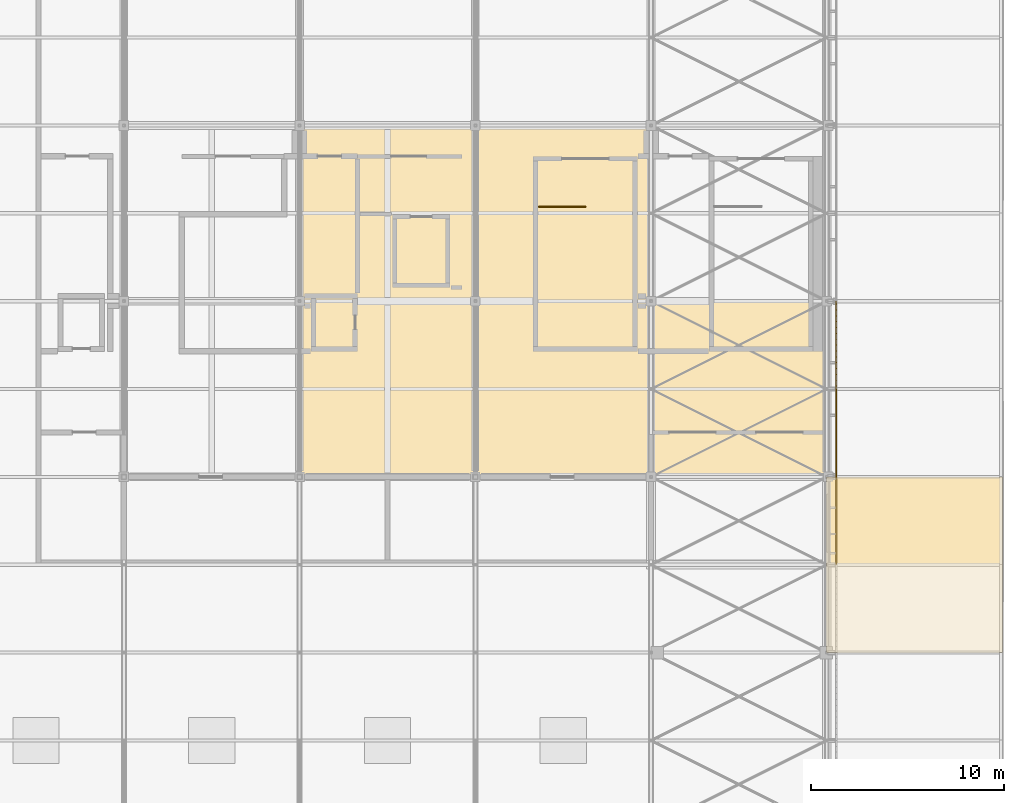
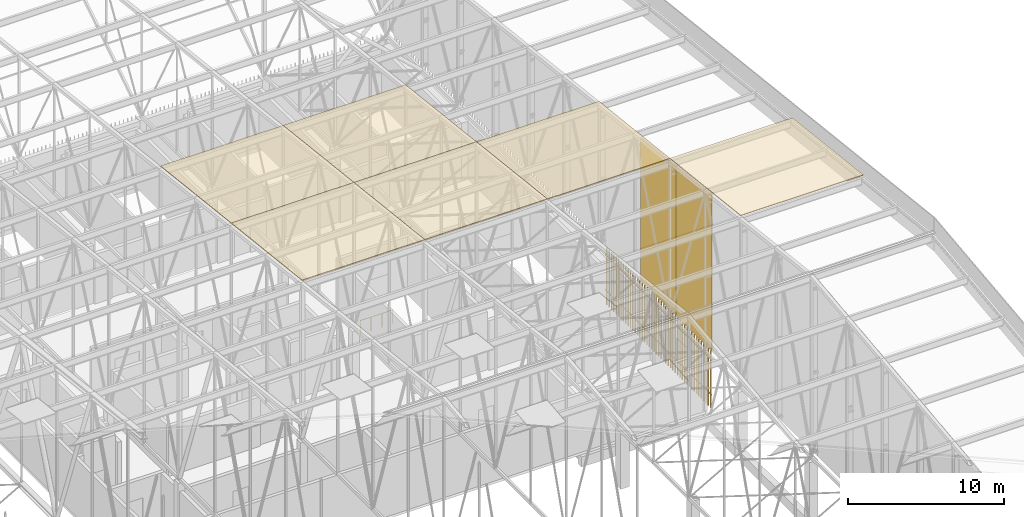
# One storey, part 493 of 500: 7 coverings, 4 shading devices, 1 railing.
"""IFC4 building model written with IfcOpenShell, lengths in metres."""

from ifc_helpers import new_model, si_unit, direction, frame, origin, origin_2d, place, context, subcontext, project, spatial, polyline, rectangle, circle, outline, extrude, material, layer, layer_set, type_object, element, save


model = new_model("IFC4")

# Units and contexts
model_context = context("Model", 3, precision=1e-05, world=origin(), true_north=direction((0.0, 1.0)))
body_context = subcontext(model_context, "Body", "Model", "MODEL_VIEW")
ifc_project = project(units=[si_unit("LENGTHUNIT", "METRE"), si_unit("AREAUNIT", "SQUARE_METRE"), si_unit("VOLUMEUNIT", "CUBIC_METRE"), si_unit("PLANEANGLEUNIT", "RADIAN"), si_unit("MASSUNIT", "GRAM", prefix="KILO")], contexts=[model_context])

# Site, building, storey
site_placement = place(None, origin())
site = spatial("IfcSite", under=ifc_project, at=site_placement, CompositionType="ELEMENT")
building_placement = place(site_placement, origin())
building = spatial("IfcBuilding", under=site, at=building_placement, Name="Shirokan Park Arena", CompositionType="ELEMENT")
storey_placement = place(building_placement, frame((0.0, 0.0, 29.1201171875)))
storey = spatial("IfcBuildingStorey", under=building, at=storey_placement, Name="L06", CompositionType="ELEMENT", Elevation=29.1201171875)

# Coverings
ifc_material_1 = material(Name="Bituminous roofing membrane")
ifc_layer_1 = layer(ifc_material_1, 0.010009765625, Name="Bituminous roofing membrane")
ifc_material_2 = material(Name="Mineral wool insulation")
ifc_layer_2 = layer(ifc_material_2, 0.050048828125, Name="Mineral wool insulation")
ifc_layer_set_1 = layer_set([ifc_layer_1, ifc_layer_2], Name="Bituminous roofing membrane + Mineral wool insulation")
covering_type_1 = type_object("IfcCoveringType", Name="Roofing membrane 60", PredefinedType="ROOFING", material=ifc_layer_set_1)
covering_1_placement = place(storey_placement, frame((118.300048828125, 72.800048828125, 17.090576171875), z_axis=(0.0, 0.113526293343, 0.993534992197), x_axis=(1.0, 0.0, 0.0)))
element("IfcCovering", 1, at=covering_1_placement, inside=storey, type_object=covering_type_1, Name="Roofing", PredefinedType="ROOFING", context=body_context, shape_type="SweptSolid", body=[
    extrude(outline(polyline([(0.0, 0.0), (9.099853515625, 0.0), (9.099853515625, 9.159066954957241), (0.0, 9.159066954957241), (0.0, 0.0)])), origin(), (0.0, 0.0, -1.0), 0.06005859375),
])
covering_2_placement = place(storey_placement, frame((118.300048828125, 81.89990234375, 16.05078125), z_axis=(0.0, 0.113549598152, 0.993532328996), x_axis=(1.0, 0.0, 0.0)))
element("IfcCovering", 2, at=covering_2_placement, inside=storey, type_object=covering_type_1, Name="Roofing", PredefinedType="ROOFING", context=body_context, shape_type="SweptSolid", body=[
    extrude(outline(polyline([(0.0, 0.0), (9.099853515625, 0.0), (9.099853515625, 9.15933723611117), (0.0, 9.15933723611117), (0.0, 0.0)])), origin(), (0.0, 0.0, -1.0), 0.06005859375),
])
covering_3_placement = place(storey_placement, frame((127.39990234375, 72.800048828125, 17.090576171875), z_axis=(0.0, 0.113526293343, 0.993534992197), x_axis=(1.0, 0.0, 0.0)))
element("IfcCovering", 3, at=covering_3_placement, inside=storey, type_object=covering_type_1, Name="Roofing", PredefinedType="ROOFING", context=body_context, shape_type="SweptSolid", body=[
    extrude(outline(polyline([(0.0, 0.0), (9.10009765625, 0.0), (9.10009765625, 9.159066954957241), (0.0, 9.159066954957241), (0.0, 0.0)])), origin(), (0.0, 0.0, -1.0), 0.06005859375),
])
covering_4_placement = place(storey_placement, frame((127.39990234375, 81.89990234375, 16.05078125), z_axis=(0.0, 0.113549598152, 0.993532328996), x_axis=(1.0, 0.0, 0.0)))
element("IfcCovering", 4, at=covering_4_placement, inside=storey, type_object=covering_type_1, Name="Roofing", PredefinedType="ROOFING", context=body_context, shape_type="SweptSolid", body=[
    extrude(outline(polyline([(0.0, 0.0), (9.10009765625, 0.0), (9.10009765625, 9.15933723611117), (0.0, 9.15933723611117), (0.0, 0.0)])), origin(), (0.0, 0.0, -1.0), 0.06005859375),
])
covering_5_placement = place(storey_placement, frame((136.5, 72.800048828125, 17.090576171875), z_axis=(0.0, 0.113526293343, 0.993534992197), x_axis=(1.0, 0.0, 0.0)))
element("IfcCovering", 5, at=covering_5_placement, inside=storey, type_object=covering_type_1, Name="Roofing", PredefinedType="ROOFING", context=body_context, shape_type="SweptSolid", body=[
    extrude(outline(polyline([(0.0, 0.0), (9.10009765625, 0.0), (9.10009765625, 9.159066954957241), (0.0, 9.159066954957241), (0.0, 0.0)])), origin(), (0.0, 0.0, -1.0), 0.06005859375),
])
covering_6_placement = place(storey_placement, frame((145.60009765625, 63.699951171875, 18.130615234375), z_axis=(0.0, 0.113549598152, 0.993532328996), x_axis=(1.0, 0.0, 0.0)))
element("IfcCovering", 6, at=covering_6_placement, inside=storey, type_object=covering_type_1, Name="Roofing", PredefinedType="ROOFING", context=body_context, shape_type="SweptSolid", body=[
    extrude(outline(polyline([(0.0, 0.0), (9.099853515625, 0.0), (9.099853515625, 9.15933723611117), (0.0, 9.15933723611117), (0.0, 0.0)])), origin(), (0.0, 0.0, -1.0), 0.06005859375),
])

# Railing
ifc_material_3 = material(Name="Stainless steel", Category="steel")
railing_type = type_object("IfcRailingType", Name="Stair well guard 1100", PredefinedType="GUARDRAIL", material=ifc_material_3)
railing_placement = place(storey_placement, frame((130.699951171875, 86.800048828125, 0.0)))
element("IfcRailing", 7, at=railing_placement, inside=storey, type_object=railing_type, Name="Guard Exit Stair 3.F L06", PredefinedType="GUARDRAIL", context=body_context, shape_type="SweptSolid", body=[
    extrude(circle(Radius=0.02490234375, at=origin_2d()), frame((0.0, 0.0, 1.0771484375), z_axis=(1.0, 0.0, 0.0), x_axis=(0.0, 1.0, 0.0)), (0.0, 0.0, 1.0), 2.400146484375),
    extrude(circle(Radius=0.02490234375, at=origin_2d()), origin(), (0.0, 0.0, 1.0), 1.052001953125),
    extrude(circle(Radius=0.02490234375, at=origin_2d()), frame((0.800048828125, 0.0, 0.0)), (0.0, 0.0, 1.0), 1.052001953125),
    extrude(circle(Radius=0.02490234375, at=origin_2d()), frame((1.60009765625, 0.0, 0.0)), (0.0, 0.0, 1.0), 1.052001953125),
    extrude(circle(Radius=0.02490234375, at=origin_2d()), frame((2.400146484375, 0.0, 0.0)), (0.0, 0.0, 1.0), 1.052001953125),
])

# Covering
ifc_material_4 = material(Name="Timber soffit boards (cedar)", Category="wood")
ifc_layer_3 = layer(ifc_material_4, 0.030029296875)
ifc_layer_set_2 = layer_set([ifc_layer_3], Name="Timber soffit boards (cedar) 30 mm")
covering_type_2 = type_object("IfcCoveringType", Name="Timber boarded soffit panel", PredefinedType="CLADDING", material=ifc_layer_set_2)
covering_7_placement = place(storey_placement, origin())
element("IfcCovering", 8, at=covering_7_placement, inside=storey, type_object=covering_type_2, Name="Rake soffit east bay 18", PredefinedType="CLADDING", context=body_context, shape_type="SweptSolid", body=[
    extrude(outline(polyline([(0.0, 0.0), (0.12000000000000455, 0.0), (0.12000000000000455, -4.579617887990217), (0.0, -4.579617887990217), (0.0, 0.0)])), frame((145.846923828125, 68.25, 16.90185546875), z_axis=(0.0, 0.113546591161, 0.993532672656), x_axis=(-1.0, 0.0, 0.0)), (0.0, 0.0, -1.0), 0.030029296875),
    extrude(outline(polyline([(0.0, 0.0), (0.11999999999997613, 0.0), (0.11999999999997613, -4.579617887990216), (0.0, -4.579617887990216), (0.0, 0.0)])), frame((154.580078125, 72.800048828125, 16.3818359375), z_axis=(0.0, 0.113546591161, 0.993532672656), x_axis=(1.0, 0.0, 0.0)), (0.0, 0.0, -1.0), 0.030029296875),
    extrude(outline(polyline([(0.0, 0.0), (0.12078064455862775, 0.0), (0.12078064455862775, -8.733000000000004), (0.0, -8.733000000000004), (0.0, 0.0)])), frame((154.580078125, 72.800048828125, 16.3818359375), z_axis=(0.0, 0.11351156512, 0.993536675007), x_axis=(0.0, -0.993536675007, 0.11351156512)), (0.0, 0.0, -1.0), 0.030029296875),
    extrude(outline(polyline([(0.0, 0.0), (0.12078064455864188, 0.0), (0.12078064455864188, -8.733000000000004), (0.0, -8.733000000000004), (0.0, 0.0)])), frame((145.846923828125, 68.25, 16.90185546875), z_axis=(0.0, 0.11351156512, 0.993536675007), x_axis=(0.0, 0.993536675007, -0.11351156512)), (0.0, 0.0, -1.0), 0.030029296875),
    extrude(outline(polyline([(0.0, 0.0), (8.733000000000004, 0.0), (8.733000000000004, -0.18452428160000886), (0.0, -0.18452428160000886), (0.0, 0.0)])), frame((154.580078125, 68.3701171875, 16.88818359375), z_axis=(0.0, 0.113589386818, 0.99352778079), x_axis=(-1.0, 0.0, 0.0)), (0.0, 0.0, -1.0), 0.030029296875),
    extrude(outline(polyline([(0.0, 0.0), (8.733000000000004, 0.0), (8.733000000000004, -0.30531372586242334), (0.0, -0.30531372586242334), (0.0, 0.0)])), frame((154.580078125, 68.55322265625, 16.8671875), z_axis=(0.0, 0.113522573877, 0.993535417195), x_axis=(-1.0, 0.0, 0.0)), (0.0, 0.0, -1.0), 0.030029296875),
    extrude(outline(polyline([(0.0, 0.0), (8.733000000000004, 0.0), (8.733000000000004, -0.30530492593471437), (0.0, -0.30530492593471437), (0.0, 0.0)])), frame((154.580078125, 68.856689453125, 16.83251953125), z_axis=(0.0, 0.113558600124, 0.99353130013), x_axis=(-1.0, 0.0, 0.0)), (0.0, 0.0, -1.0), 0.030029296875),
    extrude(outline(polyline([(0.0, 0.0), (8.733000000000004, 0.0), (8.733000000000004, -0.30530492593471437), (0.0, -0.30530492593471437), (0.0, 0.0)])), frame((154.580078125, 69.159912109375, 16.7978515625), z_axis=(0.0, 0.113558600124, 0.99353130013), x_axis=(-1.0, 0.0, 0.0)), (0.0, 0.0, -1.0), 0.030029296875),
    extrude(outline(polyline([(0.0, 0.0), (8.733000000000004, 0.0), (8.733000000000004, -0.3053137258624375), (0.0, -0.3053137258624375), (0.0, 0.0)])), frame((154.580078125, 69.46337890625, 16.76318359375), z_axis=(0.0, 0.113522573877, 0.993535417195), x_axis=(-1.0, 0.0, 0.0)), (0.0, 0.0, -1.0), 0.030029296875),
    extrude(outline(polyline([(0.0, 0.0), (8.733000000000004, 0.0), (8.733000000000004, -0.30530492593470027), (0.0, -0.30530492593470027), (0.0, 0.0)])), frame((154.580078125, 69.7666015625, 16.728515625), z_axis=(0.0, 0.113558600124, 0.99353130013), x_axis=(-1.0, 0.0, 0.0)), (0.0, 0.0, -1.0), 0.030029296875),
    extrude(outline(polyline([(0.0, 0.0), (8.733000000000004, 0.0), (8.733000000000004, -0.30530492593471437), (0.0, -0.30530492593471437), (0.0, 0.0)])), frame((154.580078125, 70.070068359375, 16.69384765625), z_axis=(0.0, 0.113558600124, 0.99353130013), x_axis=(-1.0, 0.0, 0.0)), (0.0, 0.0, -1.0), 0.030029296875),
    extrude(outline(polyline([(0.0, 0.0), (8.733000000000004, 0.0), (8.733000000000004, -0.3053137258624375), (0.0, -0.3053137258624375), (0.0, 0.0)])), frame((154.580078125, 70.373291015625, 16.6591796875), z_axis=(0.0, 0.113522573877, 0.993535417195), x_axis=(-1.0, 0.0, 0.0)), (0.0, 0.0, -1.0), 0.030029296875),
    extrude(outline(polyline([(0.0, 0.0), (8.733000000000004, 0.0), (8.733000000000004, -0.30530492593471437), (0.0, -0.30530492593471437), (0.0, 0.0)])), frame((154.580078125, 70.6767578125, 16.62451171875), z_axis=(0.0, 0.113558600124, 0.99353130013), x_axis=(-1.0, 0.0, 0.0)), (0.0, 0.0, -1.0), 0.030029296875),
    extrude(outline(polyline([(0.0, 0.0), (8.733000000000004, 0.0), (8.733000000000004, -0.30530492593471437), (0.0, -0.30530492593471437), (0.0, 0.0)])), frame((154.580078125, 70.97998046875, 16.58984375), z_axis=(0.0, 0.113558600124, 0.99353130013), x_axis=(-1.0, 0.0, 0.0)), (0.0, 0.0, -1.0), 0.030029296875),
    extrude(outline(polyline([(0.0, 0.0), (8.733000000000004, 0.0), (8.733000000000004, -0.3053137258624234), (0.0, -0.3053137258624234), (0.0, 0.0)])), frame((154.580078125, 71.283447265625, 16.55517578125), z_axis=(0.0, 0.113522573877, 0.993535417195), x_axis=(-1.0, 0.0, 0.0)), (0.0, 0.0, -1.0), 0.030029296875),
    extrude(outline(polyline([(0.0, 0.0), (8.733000000000004, 0.0), (8.733000000000004, -0.30530492593471437), (0.0, -0.30530492593471437), (0.0, 0.0)])), frame((154.580078125, 71.586669921875, 16.5205078125), z_axis=(0.0, 0.113558600124, 0.99353130013), x_axis=(-1.0, 0.0, 0.0)), (0.0, 0.0, -1.0), 0.030029296875),
    extrude(outline(polyline([(0.0, 0.0), (8.733000000000004, 0.0), (8.733000000000004, -0.30530492593471437), (0.0, -0.30530492593471437), (0.0, 0.0)])), frame((154.580078125, 71.889892578125, 16.48583984375), z_axis=(0.0, 0.113558600124, 0.99353130013), x_axis=(-1.0, 0.0, 0.0)), (0.0, 0.0, -1.0), 0.030029296875),
    extrude(outline(polyline([(0.0, 0.0), (8.733000000000004, 0.0), (8.733000000000004, -0.30531372586242334), (0.0, -0.30531372586242334), (0.0, 0.0)])), frame((154.580078125, 72.193359375, 16.451171875), z_axis=(0.0, 0.113522573877, 0.993535417195), x_axis=(-1.0, 0.0, 0.0)), (0.0, 0.0, -1.0), 0.030029296875),
    extrude(outline(polyline([(0.0, 0.0), (0.18452428160002296, 0.0), (0.18452428160002296, -8.733000000000004), (0.0, -8.733000000000004), (0.0, 0.0)])), frame((154.580078125, 72.679931640625, 16.3955078125), z_axis=(0.0, 0.113589386818, 0.99352778079), x_axis=(0.0, -0.99352778079, 0.113589386818)), (0.0, 0.0, -1.0), 0.030029296875),
])

# Shading devices
ifc_material_5 = material(Name="Timber louvre veil (cedar)", Category="wood")
shading_device_type_1 = type_object("IfcShadingDeviceType", Name="Timber louvre veil panel", PredefinedType="JALOUSIE", material=ifc_material_5)
shading_device_1_placement = place(storey_placement, origin())
element("IfcShadingDevice", 9, at=shading_device_1_placement, inside=storey, type_object=shading_device_type_1, Name="Timber louvre veil east bay 8 L06", PredefinedType="JALOUSIE", context=body_context, shape_type="SweptSolid", body=[
    extrude(rectangle(XDim=0.050048828125, YDim=0.080078125, at=origin_2d()), frame((146.0849609375, 68.401611328125, 0.0), z_axis=(0.0, 0.0, 1.0), x_axis=(0.0, 1.0, 0.0)), (0.0, 0.0, 1.0), 4.5),
    extrude(rectangle(XDim=0.050048828125, YDim=0.080078125, at=origin_2d()), frame((146.0849609375, 68.705078125, 0.0), z_axis=(0.0, 0.0, 1.0), x_axis=(0.0, 1.0, 0.0)), (0.0, 0.0, 1.0), 4.5),
    extrude(rectangle(XDim=0.050048828125, YDim=0.080078125, at=origin_2d()), frame((146.0849609375, 69.00830078125, 0.0), z_axis=(0.0, 0.0, 1.0), x_axis=(0.0, 1.0, 0.0)), (0.0, 0.0, 1.0), 4.5),
    extrude(rectangle(XDim=0.050048828125, YDim=0.080078125, at=origin_2d()), frame((146.0849609375, 69.311767578125, 0.0), z_axis=(0.0, 0.0, 1.0), x_axis=(0.0, 1.0, 0.0)), (0.0, 0.0, 1.0), 4.5),
    extrude(rectangle(XDim=0.050048828125, YDim=0.080078125, at=origin_2d()), frame((146.0849609375, 69.614990234375, 0.0), z_axis=(0.0, 0.0, 1.0), x_axis=(0.0, 1.0, 0.0)), (0.0, 0.0, 1.0), 4.5),
    extrude(rectangle(XDim=0.050048828125, YDim=0.080078125, at=origin_2d()), frame((146.0849609375, 69.918212890625, 0.0), z_axis=(0.0, 0.0, 1.0), x_axis=(0.0, 1.0, 0.0)), (0.0, 0.0, 1.0), 4.5),
    extrude(rectangle(XDim=0.050048828125, YDim=0.080078125, at=origin_2d()), frame((146.0849609375, 70.2216796875, 0.0), z_axis=(0.0, 0.0, 1.0), x_axis=(0.0, 1.0, 0.0)), (0.0, 0.0, 1.0), 4.5),
    extrude(rectangle(XDim=0.050048828125, YDim=0.080078125, at=origin_2d()), frame((146.0849609375, 70.52490234375, 0.0), z_axis=(0.0, 0.0, 1.0), x_axis=(0.0, 1.0, 0.0)), (0.0, 0.0, 1.0), 4.5),
    extrude(rectangle(XDim=0.050048828125, YDim=0.080078125, at=origin_2d()), frame((146.0849609375, 70.828369140625, 0.0), z_axis=(0.0, 0.0, 1.0), x_axis=(0.0, 1.0, 0.0)), (0.0, 0.0, 1.0), 4.5),
    extrude(rectangle(XDim=0.050048828125, YDim=0.080078125, at=origin_2d()), frame((146.0849609375, 71.131591796875, 0.0), z_axis=(0.0, 0.0, 1.0), x_axis=(0.0, 1.0, 0.0)), (0.0, 0.0, 1.0), 4.5),
    extrude(rectangle(XDim=0.050048828125, YDim=0.080078125, at=origin_2d()), frame((146.0849609375, 71.43505859375, 0.0), z_axis=(0.0, 0.0, 1.0), x_axis=(0.0, 1.0, 0.0)), (0.0, 0.0, 1.0), 4.5),
    extrude(rectangle(XDim=0.050048828125, YDim=0.080078125, at=origin_2d()), frame((146.0849609375, 71.73828125, 0.0), z_axis=(0.0, 0.0, 1.0), x_axis=(0.0, 1.0, 0.0)), (0.0, 0.0, 1.0), 4.5),
    extrude(rectangle(XDim=0.050048828125, YDim=0.080078125, at=origin_2d()), frame((146.0849609375, 72.041748046875, 0.0), z_axis=(0.0, 0.0, 1.0), x_axis=(0.0, 1.0, 0.0)), (0.0, 0.0, 1.0), 4.5),
    extrude(rectangle(XDim=0.050048828125, YDim=0.080078125, at=origin_2d()), frame((146.0849609375, 72.344970703125, 0.0), z_axis=(0.0, 0.0, 1.0), x_axis=(0.0, 1.0, 0.0)), (0.0, 0.0, 1.0), 4.5),
    extrude(rectangle(XDim=0.050048828125, YDim=0.080078125, at=origin_2d()), frame((146.0849609375, 72.6484375, 0.0), z_axis=(0.0, 0.0, 1.0), x_axis=(0.0, 1.0, 0.0)), (0.0, 0.0, 1.0), 4.5),
    extrude(rectangle(XDim=4.550048828125, YDim=0.050048828125, at=origin_2d()), frame((146.070068359375, 70.52490234375, 1.059814453125), z_axis=(0.0, 0.0, 1.0), x_axis=(0.0, 1.0, 0.0)), (0.0, 0.0, 1.0), 0.080078125),
    extrude(rectangle(XDim=4.550048828125, YDim=0.050048828125, at=origin_2d()), frame((146.070068359375, 70.52490234375, 3.809814453125), z_axis=(0.0, 0.0, 1.0), x_axis=(0.0, 1.0, 0.0)), (0.0, 0.0, 1.0), 0.080078125),
])
shading_device_2_placement = place(storey_placement, origin())
element("IfcShadingDevice", 10, at=shading_device_2_placement, inside=storey, type_object=shading_device_type_1, Name="Timber louvre veil east bay 9 L06", PredefinedType="JALOUSIE", context=body_context, shape_type="SweptSolid", body=[
    extrude(rectangle(XDim=0.050048828125, YDim=0.080078125, at=origin_2d()), frame((146.0849609375, 72.95166015625, 0.0), z_axis=(0.0, 0.0, 1.0), x_axis=(0.0, 1.0, 0.0)), (0.0, 0.0, 1.0), 4.5),
    extrude(rectangle(XDim=0.050048828125, YDim=0.080078125, at=origin_2d()), frame((146.0849609375, 73.2548828125, 0.0), z_axis=(0.0, 0.0, 1.0), x_axis=(0.0, 1.0, 0.0)), (0.0, 0.0, 1.0), 4.5),
    extrude(rectangle(XDim=0.050048828125, YDim=0.080078125, at=origin_2d()), frame((146.0849609375, 73.558349609375, 0.0), z_axis=(0.0, 0.0, 1.0), x_axis=(0.0, 1.0, 0.0)), (0.0, 0.0, 1.0), 4.5),
    extrude(rectangle(XDim=0.050048828125, YDim=0.080078125, at=origin_2d()), frame((146.0849609375, 73.861572265625, 0.0), z_axis=(0.0, 0.0, 1.0), x_axis=(0.0, 1.0, 0.0)), (0.0, 0.0, 1.0), 4.5),
    extrude(rectangle(XDim=0.050048828125, YDim=0.080078125, at=origin_2d()), frame((146.0849609375, 74.1650390625, 0.0), z_axis=(0.0, 0.0, 1.0), x_axis=(0.0, 1.0, 0.0)), (0.0, 0.0, 1.0), 4.5),
    extrude(rectangle(XDim=0.050048828125, YDim=0.080078125, at=origin_2d()), frame((146.0849609375, 74.46826171875, 0.0), z_axis=(0.0, 0.0, 1.0), x_axis=(0.0, 1.0, 0.0)), (0.0, 0.0, 1.0), 4.5),
    extrude(rectangle(XDim=0.050048828125, YDim=0.080078125, at=origin_2d()), frame((146.0849609375, 74.771728515625, 0.0), z_axis=(0.0, 0.0, 1.0), x_axis=(0.0, 1.0, 0.0)), (0.0, 0.0, 1.0), 4.5),
    extrude(rectangle(XDim=0.050048828125, YDim=0.080078125, at=origin_2d()), frame((146.0849609375, 75.074951171875, 0.0), z_axis=(0.0, 0.0, 1.0), x_axis=(0.0, 1.0, 0.0)), (0.0, 0.0, 1.0), 4.5),
    extrude(rectangle(XDim=0.050048828125, YDim=0.080078125, at=origin_2d()), frame((146.0849609375, 75.37841796875, 0.0), z_axis=(0.0, 0.0, 1.0), x_axis=(0.0, 1.0, 0.0)), (0.0, 0.0, 1.0), 4.5),
    extrude(rectangle(XDim=0.050048828125, YDim=0.080078125, at=origin_2d()), frame((146.0849609375, 75.681640625, 0.0), z_axis=(0.0, 0.0, 1.0), x_axis=(0.0, 1.0, 0.0)), (0.0, 0.0, 1.0), 4.5),
    extrude(rectangle(XDim=0.050048828125, YDim=0.080078125, at=origin_2d()), frame((146.0849609375, 75.985107421875, 0.0), z_axis=(0.0, 0.0, 1.0), x_axis=(0.0, 1.0, 0.0)), (0.0, 0.0, 1.0), 4.5),
    extrude(rectangle(XDim=0.050048828125, YDim=0.080078125, at=origin_2d()), frame((146.0849609375, 76.288330078125, 0.0), z_axis=(0.0, 0.0, 1.0), x_axis=(0.0, 1.0, 0.0)), (0.0, 0.0, 1.0), 4.5),
    extrude(rectangle(XDim=0.050048828125, YDim=0.080078125, at=origin_2d()), frame((146.0849609375, 76.591552734375, 0.0), z_axis=(0.0, 0.0, 1.0), x_axis=(0.0, 1.0, 0.0)), (0.0, 0.0, 1.0), 4.5),
    extrude(rectangle(XDim=0.050048828125, YDim=0.080078125, at=origin_2d()), frame((146.0849609375, 76.89501953125, 0.0), z_axis=(0.0, 0.0, 1.0), x_axis=(0.0, 1.0, 0.0)), (0.0, 0.0, 1.0), 4.5),
    extrude(rectangle(XDim=0.050048828125, YDim=0.080078125, at=origin_2d()), frame((146.0849609375, 77.1982421875, 0.0), z_axis=(0.0, 0.0, 1.0), x_axis=(0.0, 1.0, 0.0)), (0.0, 0.0, 1.0), 4.5),
    extrude(rectangle(XDim=0.050048828125, YDim=0.080078125, at=origin_2d()), frame((146.0849609375, 77.501708984375, 0.0), z_axis=(0.0, 0.0, 1.0), x_axis=(0.0, 1.0, 0.0)), (0.0, 0.0, 1.0), 4.5),
    extrude(rectangle(XDim=0.050048828125, YDim=0.080078125, at=origin_2d()), frame((146.0849609375, 77.804931640625, 0.0), z_axis=(0.0, 0.0, 1.0), x_axis=(0.0, 1.0, 0.0)), (0.0, 0.0, 1.0), 4.5),
    extrude(rectangle(XDim=0.050048828125, YDim=0.080078125, at=origin_2d()), frame((146.0849609375, 78.1083984375, 0.0), z_axis=(0.0, 0.0, 1.0), x_axis=(0.0, 1.0, 0.0)), (0.0, 0.0, 1.0), 4.5),
    extrude(rectangle(XDim=0.050048828125, YDim=0.080078125, at=origin_2d()), frame((146.0849609375, 78.41162109375, 0.0), z_axis=(0.0, 0.0, 1.0), x_axis=(0.0, 1.0, 0.0)), (0.0, 0.0, 1.0), 4.5),
    extrude(rectangle(XDim=0.050048828125, YDim=0.080078125, at=origin_2d()), frame((146.0849609375, 78.715087890625, 0.0), z_axis=(0.0, 0.0, 1.0), x_axis=(0.0, 1.0, 0.0)), (0.0, 0.0, 1.0), 4.5),
    extrude(rectangle(XDim=0.050048828125, YDim=0.080078125, at=origin_2d()), frame((146.0849609375, 79.018310546875, 0.0), z_axis=(0.0, 0.0, 1.0), x_axis=(0.0, 1.0, 0.0)), (0.0, 0.0, 1.0), 4.5),
    extrude(rectangle(XDim=0.050048828125, YDim=0.080078125, at=origin_2d()), frame((146.0849609375, 79.32177734375, 0.0), z_axis=(0.0, 0.0, 1.0), x_axis=(0.0, 1.0, 0.0)), (0.0, 0.0, 1.0), 4.5),
    extrude(rectangle(XDim=0.050048828125, YDim=0.080078125, at=origin_2d()), frame((146.0849609375, 79.625, 0.0), z_axis=(0.0, 0.0, 1.0), x_axis=(0.0, 1.0, 0.0)), (0.0, 0.0, 1.0), 4.5),
    extrude(rectangle(XDim=0.050048828125, YDim=0.080078125, at=origin_2d()), frame((146.0849609375, 79.92822265625, 0.0), z_axis=(0.0, 0.0, 1.0), x_axis=(0.0, 1.0, 0.0)), (0.0, 0.0, 1.0), 4.5),
    extrude(rectangle(XDim=0.050048828125, YDim=0.080078125, at=origin_2d()), frame((146.0849609375, 80.231689453125, 0.0), z_axis=(0.0, 0.0, 1.0), x_axis=(0.0, 1.0, 0.0)), (0.0, 0.0, 1.0), 4.5),
    extrude(rectangle(XDim=0.050048828125, YDim=0.080078125, at=origin_2d()), frame((146.0849609375, 80.534912109375, 0.0), z_axis=(0.0, 0.0, 1.0), x_axis=(0.0, 1.0, 0.0)), (0.0, 0.0, 1.0), 4.5),
    extrude(rectangle(XDim=0.050048828125, YDim=0.080078125, at=origin_2d()), frame((146.0849609375, 80.83837890625, 0.0), z_axis=(0.0, 0.0, 1.0), x_axis=(0.0, 1.0, 0.0)), (0.0, 0.0, 1.0), 4.5),
    extrude(rectangle(XDim=0.050048828125, YDim=0.080078125, at=origin_2d()), frame((146.0849609375, 81.1416015625, 0.0), z_axis=(0.0, 0.0, 1.0), x_axis=(0.0, 1.0, 0.0)), (0.0, 0.0, 1.0), 4.5),
    extrude(rectangle(XDim=0.050048828125, YDim=0.080078125, at=origin_2d()), frame((146.0849609375, 81.445068359375, 0.0), z_axis=(0.0, 0.0, 1.0), x_axis=(0.0, 1.0, 0.0)), (0.0, 0.0, 1.0), 4.5),
    extrude(rectangle(XDim=0.050048828125, YDim=0.080078125, at=origin_2d()), frame((146.0849609375, 81.748291015625, 0.0), z_axis=(0.0, 0.0, 1.0), x_axis=(0.0, 1.0, 0.0)), (0.0, 0.0, 1.0), 4.5),
    extrude(rectangle(XDim=9.10009765625, YDim=0.050048828125, at=origin_2d()), frame((146.070068359375, 77.35009765625, 1.059814453125), z_axis=(0.0, 0.0, 1.0), x_axis=(0.0, 1.0, 0.0)), (0.0, 0.0, 1.0), 0.080078125),
    extrude(rectangle(XDim=9.10009765625, YDim=0.050048828125, at=origin_2d()), frame((146.070068359375, 77.35009765625, 3.809814453125), z_axis=(0.0, 0.0, 1.0), x_axis=(0.0, 1.0, 0.0)), (0.0, 0.0, 1.0), 0.080078125),
])
shading_device_type_2 = type_object("IfcShadingDeviceType", Name="Timber louvre veil panel, gable band, closed", PredefinedType="JALOUSIE", material=ifc_material_5)
shading_device_3_placement = place(storey_placement, origin())
element("IfcShadingDevice", 11, at=shading_device_3_placement, inside=storey, type_object=shading_device_type_2, Name="Timber louvre veil gable band east bay 18", PredefinedType="JALOUSIE", context=body_context, shape_type="SweptSolid", body=[
    extrude(outline(polyline([(72.800048828125, 4.575927734375), (72.800048828125, 16.351806640625), (72.49658203125, 16.351806640625), (72.49658203125, 16.386474609375), (72.193359375, 16.386474609375), (72.193359375, 16.421142578125), (71.889892578125, 16.421142578125), (71.889892578125, 16.455810546875), (71.586669921875, 16.455810546875), (71.586669921875, 16.490478515625), (71.283447265625, 16.490478515625), (71.283447265625, 16.525146484375), (70.97998046875, 16.525146484375), (70.97998046875, 16.559814453125), (70.6767578125, 16.559814453125), (70.6767578125, 16.594482421875), (70.373291015625, 16.594482421875), (70.373291015625, 16.629150390625), (70.070068359375, 16.629150390625), (70.070068359375, 16.663818359375), (69.7666015625, 16.663818359375), (69.7666015625, 16.698486328125), (69.46337890625, 16.698486328125), (69.46337890625, 16.733154296875), (69.159912109375, 16.733154296875), (69.159912109375, 16.767822265625), (68.856689453125, 16.767822265625), (68.856689453125, 16.802490234375), (68.55322265625, 16.802490234375), (68.55322265625, 16.837158203125), (68.25, 16.837158203125), (68.25, 4.575927734375), (72.800048828125, 4.575927734375)])), frame((146.044921875, 0.0, 0.0), z_axis=(1.0, 0.0, 0.0), x_axis=(0.0, 1.0, 0.0)), (0.0, 0.0, 1.0), 0.080078125),
    extrude(rectangle(XDim=0.050048828125, YDim=4.550048828125, at=origin_2d()), frame((146.070068359375, 70.52490234375, 4.98583984375), z_axis=(0.0, 0.0, 1.0), x_axis=(1.0, 0.0, 0.0)), (0.0, 0.0, 1.0), 0.080078125),
    extrude(rectangle(XDim=0.050048828125, YDim=4.550048828125, at=origin_2d()), frame((146.070068359375, 70.52490234375, 10.423828125), z_axis=(0.0, 0.0, 1.0), x_axis=(1.0, 0.0, 0.0)), (0.0, 0.0, 1.0), 0.080078125),
    extrude(rectangle(XDim=0.050048828125, YDim=4.550048828125, at=origin_2d()), frame((146.070068359375, 70.52490234375, 16.2119140625), z_axis=(0.0, 0.0, 1.0), x_axis=(1.0, 0.0, 0.0)), (0.0, 0.0, 1.0), 0.080078125),
])
shading_device_4_placement = place(storey_placement, origin())
element("IfcShadingDevice", 12, at=shading_device_4_placement, inside=storey, type_object=shading_device_type_2, Name="Timber louvre veil gable band east bay 19", PredefinedType="JALOUSIE", context=body_context, shape_type="SweptSolid", body=[
    extrude(outline(polyline([(77.35009765625, 4.575927734375), (77.35009765625, 15.831787109375), (77.046630859375, 15.831787109375), (77.046630859375, 15.866455078125), (76.743408203125, 15.866455078125), (76.743408203125, 15.901123046875), (76.43994140625, 15.901123046875), (76.43994140625, 15.935791015625), (76.13671875, 15.935791015625), (76.13671875, 15.970458984375), (75.833251953125, 15.970458984375), (75.833251953125, 16.005126953125), (75.530029296875, 16.005126953125), (75.530029296875, 16.039794921875), (75.2265625, 16.039794921875), (75.2265625, 16.074462890625), (74.92333984375, 16.074462890625), (74.92333984375, 16.109130859375), (74.6201171875, 16.109130859375), (74.6201171875, 16.143798828125), (74.316650390625, 16.143798828125), (74.316650390625, 16.178466796875), (74.013427734375, 16.178466796875), (74.013427734375, 16.213134765625), (73.7099609375, 16.213134765625), (73.7099609375, 16.247802734375), (73.40673828125, 16.247802734375), (73.40673828125, 16.282470703125), (73.103271484375, 16.282470703125), (73.103271484375, 16.317138671875), (72.800048828125, 16.317138671875), (72.800048828125, 4.575927734375), (77.35009765625, 4.575927734375)])), frame((146.044921875, 0.0, 0.0), z_axis=(1.0, 0.0, 0.0), x_axis=(0.0, 1.0, 0.0)), (0.0, 0.0, 1.0), 0.080078125),
    extrude(rectangle(XDim=0.050048828125, YDim=4.550048828125, at=origin_2d()), frame((146.070068359375, 75.074951171875, 4.98583984375), z_axis=(0.0, 0.0, 1.0), x_axis=(1.0, 0.0, 0.0)), (0.0, 0.0, 1.0), 0.080078125),
    extrude(rectangle(XDim=0.050048828125, YDim=4.550048828125, at=origin_2d()), frame((146.070068359375, 75.074951171875, 10.163818359375), z_axis=(0.0, 0.0, 1.0), x_axis=(1.0, 0.0, 0.0)), (0.0, 0.0, 1.0), 0.080078125),
    extrude(rectangle(XDim=0.050048828125, YDim=4.550048828125, at=origin_2d()), frame((146.070068359375, 75.074951171875, 15.69189453125), z_axis=(0.0, 0.0, 1.0), x_axis=(1.0, 0.0, 0.0)), (0.0, 0.0, 1.0), 0.080078125),
])

save(model, "model.ifc")
